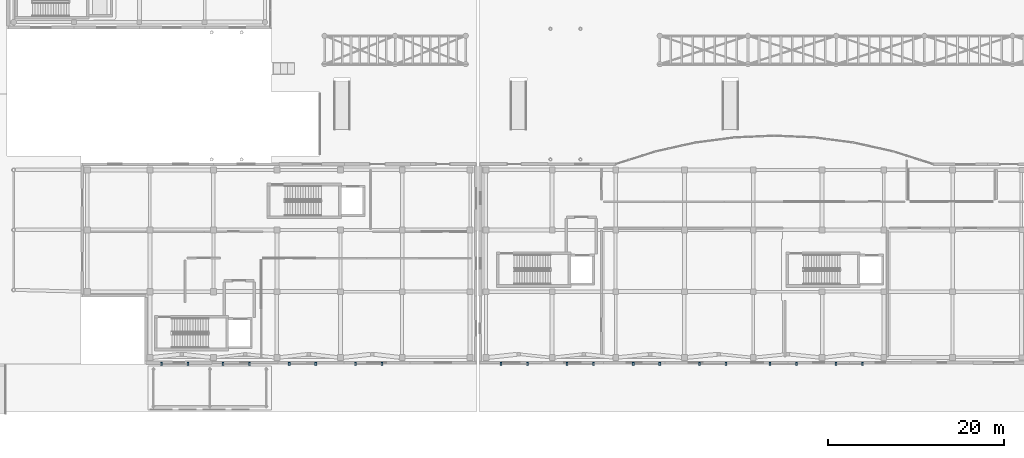
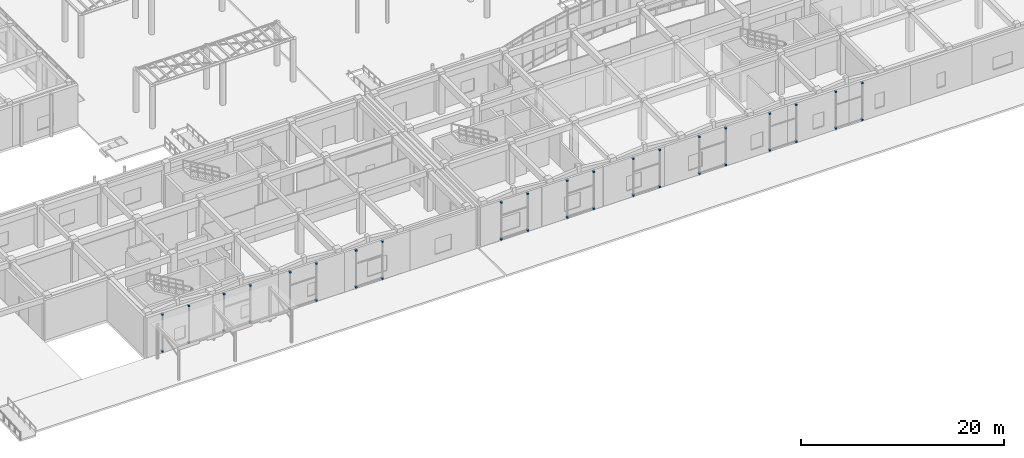
# One storey, part 110 of 121: 40 discrete accessories.
"""IFC4 building model written with IfcOpenShell, lengths in metres."""

from ifc_helpers import new_model, si_unit, direction, frame, origin, origin_2d, place, context, subcontext, project, spatial, rectangle, extrude, material, layer, layer_set, type_object, element, save


model = new_model("IFC4")

# Units and contexts
model_context = context("Model", 3, precision=1e-05, world=origin(), true_north=direction((0.0, 1.0)))
body_context = subcontext(model_context, "Body", "Model", "MODEL_VIEW")
ifc_project = project(units=[si_unit("LENGTHUNIT", "METRE"), si_unit("AREAUNIT", "SQUARE_METRE"), si_unit("VOLUMEUNIT", "CUBIC_METRE"), si_unit("PLANEANGLEUNIT", "RADIAN"), si_unit("MASSUNIT", "GRAM", prefix="KILO")], contexts=[model_context])

# Site, building, storey
site_placement = place(None, origin())
site = spatial("IfcSite", under=ifc_project, at=site_placement, CompositionType="ELEMENT")
building_placement = place(site_placement, origin())
building = spatial("IfcBuilding", under=site, at=building_placement, Name="Valcora Specialist Clinic", CompositionType="ELEMENT")
storey_placement = place(building_placement, origin())
storey = spatial("IfcBuildingStorey", under=building, at=storey_placement, Name="L00", CompositionType="ELEMENT", Elevation=0.0)

# Discrete accessories
ifc_material = material(Name="Stainless Steel AISI 316", Category="steel")
ifc_layer = layer(ifc_material, 0.280029296875)
ifc_layer_set = layer_set([ifc_layer], Name="Stainless Steel AISI 316")
discrete_accessory_type = type_object("IfcDiscreteAccessoryType", Name="TY-DA-BRK250", PredefinedType="BRACKET", material=ifc_layer_set)
for number, where, z_axis, x_axis, name in (
    (1, (17.5, 0.030029296875, 0.08984375), (0.0, 0.0, 1.0), (1.0, 0.0, 0.0), "Stainless facade standoff bracket 1"),
    (2, (17.5, 0.030029296875, 4.51513671875), (0.0, 0.0, 1.0), (1.0, 0.0, 0.0), "Stainless facade standoff bracket 2"),
    (3, (20.5, 0.030029296875, 0.08984375), (0.0, 0.0, 1.0), (1.0, 0.0, 0.0), "Stainless facade standoff bracket 3"),
    (4, (20.5, 0.030029296875, 4.51513671875), (0.0, 0.0, 1.0), (1.0, 0.0, 0.0), "Stainless facade standoff bracket 4"),
    (5, (24.5, 0.030029296875, 0.08984375), (0.0, 0.0, 1.0), (1.0, 0.0, 0.0), "Stainless facade standoff bracket 5"),
    (6, (24.5, 0.030029296875, 4.51513671875), (0.0, 0.0, 1.0), (1.0, 0.0, 0.0), "Stainless facade standoff bracket 6"),
    (7, (27.5, 0.030029296875, 0.08984375), (0.0, 0.0, 1.0), (1.0, 0.0, 0.0), "Stainless facade standoff bracket 7"),
    (8, (27.5, 0.030029296875, 4.51513671875), (0.0, 0.0, 1.0), (1.0, 0.0, 0.0), "Stainless facade standoff bracket 8"),
    (9, (32.0, 0.030029296875, 0.08984375), (0.0, 0.0, 1.0), (1.0, 0.0, 0.0), "Stainless facade standoff bracket 9"),
    (10, (32.0, 0.030029296875, 4.51513671875), (0.0, 0.0, 1.0), (1.0, 0.0, 0.0), "Stainless facade standoff bracket 10"),
    (11, (35.0, 0.030029296875, 0.08984375), (0.0, 0.0, 1.0), (1.0, 0.0, 0.0), "Stainless facade standoff bracket 11"),
    (12, (35.0, 0.030029296875, 4.51513671875), (0.0, 0.0, 1.0), (1.0, 0.0, 0.0), "Stainless facade standoff bracket 12"),
    (13, (39.5, 0.030029296875, 0.08984375), (0.0, 0.0, 1.0), (1.0, 0.0, 0.0), "Stainless facade standoff bracket 13"),
    (14, (39.5, 0.030029296875, 4.51513671875), (0.0, 0.0, 1.0), (1.0, 0.0, 0.0), "Stainless facade standoff bracket 14"),
    (15, (42.5, 0.030029296875, 0.08984375), (0.0, 0.0, 1.0), (1.0, 0.0, 0.0), "Stainless facade standoff bracket 15"),
    (16, (42.5, 0.030029296875, 4.51513671875), (0.0, 0.0, 1.0), (1.0, 0.0, 0.0), "Stainless facade standoff bracket 16"),
    (17, (56.0, 0.030029296875, 0.08984375), (0.0, 0.0, 1.0), (1.0, 0.0, 0.0), "Stainless facade standoff bracket 17"),
    (18, (56.0, 0.030029296875, 4.5), (0.0, 0.0, 1.0), (1.0, 0.0, 0.0), "Stainless facade standoff bracket 18"),
    (19, (59.0, 0.030029296875, 0.08984375), (0.0, 0.0, 1.0), (1.0, 0.0, 0.0), "Stainless facade standoff bracket 19"),
    (20, (59.0, 0.030029296875, 4.5), (0.0, 0.0, 1.0), (1.0, 0.0, 0.0), "Stainless facade standoff bracket 20"),
    (21, (63.5, 0.030029296875, 0.08984375), (0.0, 0.0, 1.0), (1.0, 0.0, 0.0), "Stainless facade standoff bracket 21"),
    (22, (63.5, 0.030029296875, 4.5), (0.0, 0.0, 1.0), (1.0, 0.0, 0.0), "Stainless facade standoff bracket 22"),
    (23, (66.5, 0.030029296875, 0.08984375), (0.0, 0.0, 1.0), (1.0, 0.0, 0.0), "Stainless facade standoff bracket 23"),
    (24, (66.5, 0.030029296875, 4.5), (0.0, 0.0, 1.0), (1.0, 0.0, 0.0), "Stainless facade standoff bracket 24"),
    (25, (71.0, 0.030029296875, 0.08984375), (0.0, 0.0, 1.0), (1.0, 0.0, 0.0), "Stainless facade standoff bracket 25"),
    (26, (71.0, 0.030029296875, 4.5), (0.0, 0.0, 1.0), (1.0, 0.0, 0.0), "Stainless facade standoff bracket 26"),
    (27, (74.0, 0.030029296875, 0.08984375), (0.0, 0.0, 1.0), (1.0, 0.0, 0.0), "Stainless facade standoff bracket 27"),
    (28, (74.0, 0.030029296875, 4.5), (0.0, 0.0, 1.0), (1.0, 0.0, 0.0), "Stainless facade standoff bracket 28"),
    (29, (78.5, 0.030029296875, 0.08984375), (0.0, 0.0, 1.0), (1.0, 0.0, 0.0), "Stainless facade standoff bracket 29"),
    (30, (78.5, 0.030029296875, 4.5), (0.0, 0.0, 1.0), (1.0, 0.0, 0.0), "Stainless facade standoff bracket 30"),
    (31, (81.5, 0.030029296875, 0.08984375), (0.0, 0.0, 1.0), (1.0, 0.0, 0.0), "Stainless facade standoff bracket 31"),
    (32, (81.5, 0.030029296875, 4.5), (0.0, 0.0, 1.0), (1.0, 0.0, 0.0), "Stainless facade standoff bracket 32"),
    (33, (86.5, 0.030029296875, 0.08984375), (0.0, 0.0, 1.0), (1.0, 0.0, 0.0), "Stainless facade standoff bracket 33"),
    (34, (86.5, 0.030029296875, 4.5), (0.0, 0.0, 1.0), (1.0, 0.0, 0.0), "Stainless facade standoff bracket 34"),
    (35, (89.5, 0.030029296875, 0.08984375), (0.0, 0.0, 1.0), (1.0, 0.0, 0.0), "Stainless facade standoff bracket 35"),
    (36, (89.5, 0.030029296875, 4.5), (0.0, 0.0, 1.0), (1.0, 0.0, 0.0), "Stainless facade standoff bracket 36"),
    (37, (94.0, 0.030029296875, 0.08984375), (0.0, 0.0, 1.0), (1.0, 0.0, 0.0), "Stainless facade standoff bracket 37"),
    (38, (94.0, 0.030029296875, 4.5), (0.0, 0.0, 1.0), (1.0, 0.0, 0.0), "Stainless facade standoff bracket 38"),
    (39, (97.0, 0.030029296875, 0.08984375), (0.0, 0.0, 1.0), (1.0, 0.0, 0.0), "Stainless facade standoff bracket 39"),
    (40, (97.0, 0.030029296875, 4.5), (0.0, 0.0, 1.0), (1.0, 0.0, 0.0), "Stainless facade standoff bracket 40"),
):
    element("IfcDiscreteAccessory", number, at=place(storey_placement, frame(where, z_axis=z_axis, x_axis=x_axis)), inside=storey, type_object=discrete_accessory_type, Name=name, PredefinedType="BRACKET", context=body_context, shape_type="SweptSolid", body=[
        extrude(rectangle(XDim=0.179931640625, YDim=0.300048828125, at=origin_2d()), origin(), (0.0, 0.0, 1.0), 0.179931640625),
    ])

save(model, "model.ifc")
